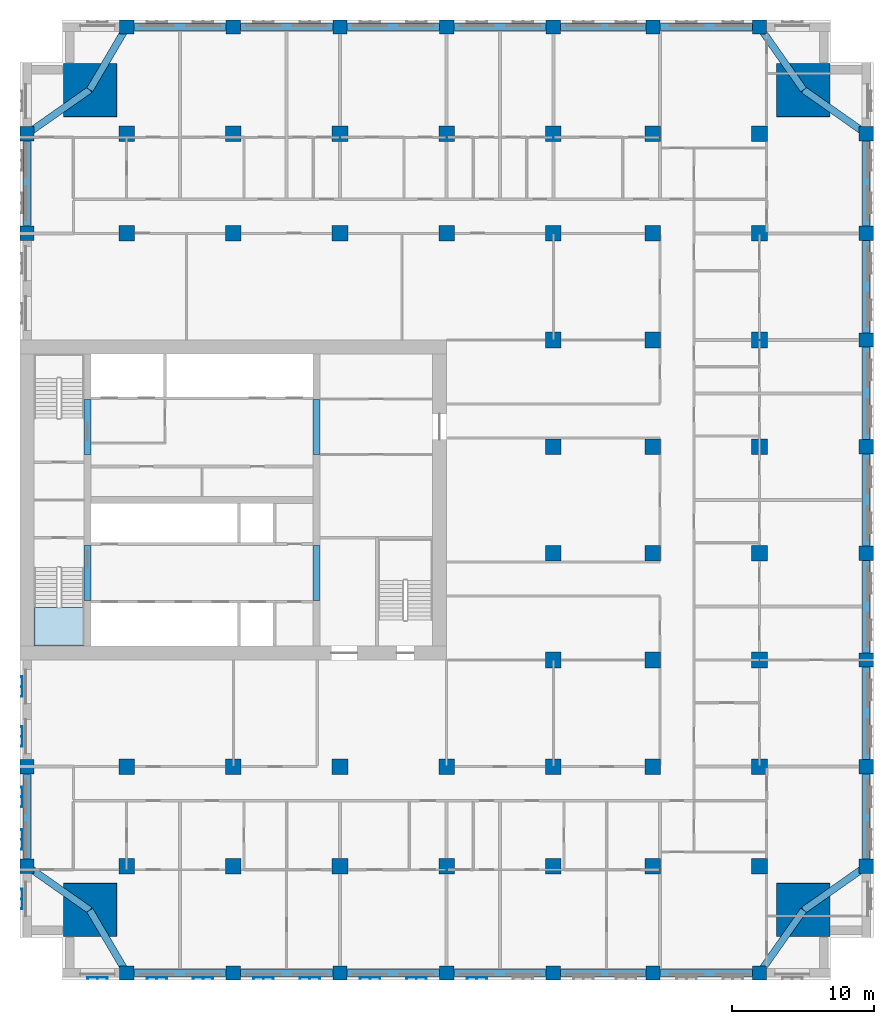
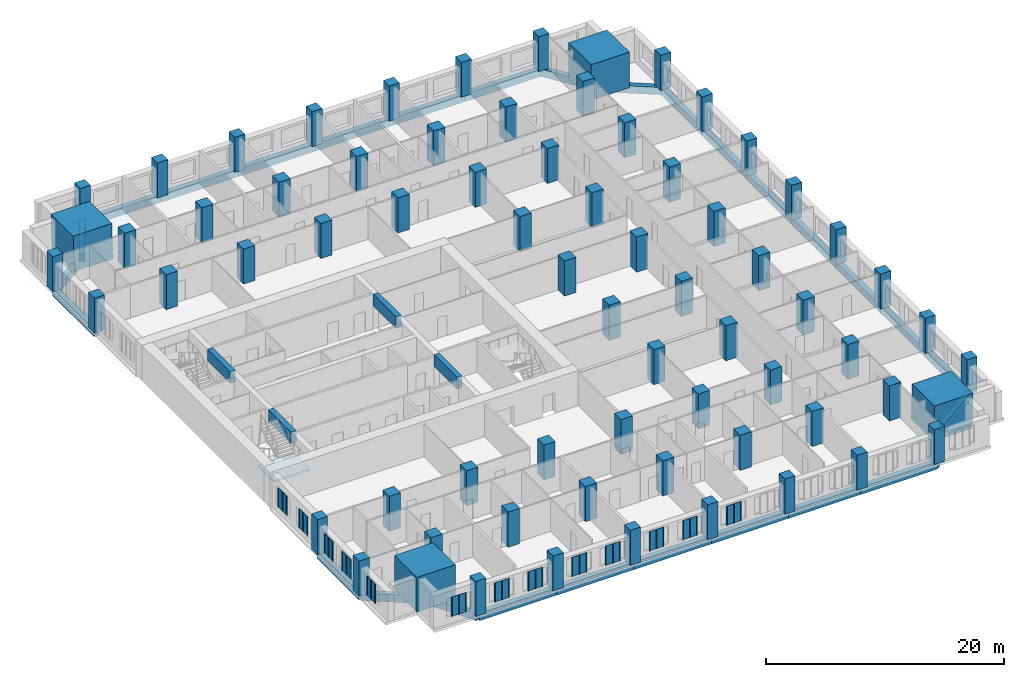
# One storey, part 1 of 14: 70 columns, 33 beams, 13 plates, 1 slab, 1 element without a shape of its own.
"""IFC4 building model written with IfcOpenShell, lengths in metres."""

import ifcopenshell
import ifcopenshell.guid

model = None  # the IFC model being written
_history = None  # IfcOwnerHistory: only IFC2X3 demands one
_inside = {}  # id of a spatial element -> (the spatial element, [elements in it])
_under = {}  # id of a project, library or spatial element -> (it, [spatial elements below it])
_declared = {}  # id of a project -> (the project, [libraries it declares])
_typed = {}  # id of a type object -> (the type object, [elements of that type])
_made_of = {}  # id of a material, layer set ... -> (it, [elements and type objects made of it])


def new_model(schema):
    """Start an empty IFC model of exactly this schema.

    Asked for "IFC4X3", IfcOpenShell would pick the latest addendum, in which some entities
    have other attributes; the version numbers below select the first issue.
    IFC2X3 requires an IfcOwnerHistory on every rooted entity: one is made here for all.
    """
    global model, _history
    if schema == "IFC4X3":
        model = ifcopenshell.file(schema_version=(4, 3, 0, 0))
    else:
        model = ifcopenshell.file(schema=schema)
    _inside.clear()
    _under.clear()
    _declared.clear()
    _typed.clear()
    _made_of.clear()
    _history = None
    if model.schema == "IFC2X3":
        org = make("IfcOrganization", Name="unknown")
        user = make(
            "IfcPersonAndOrganization",
            ThePerson=make("IfcPerson", FamilyName="unknown"),
            TheOrganization=org,
        )
        app = make(
            "IfcApplication",
            ApplicationDeveloper=org,
            Version="unknown",
            ApplicationFullName="unknown",
            ApplicationIdentifier="unknown",
        )
        _history = make(
            "IfcOwnerHistory",
            OwningUser=user,
            OwningApplication=app,
            ChangeAction="ADDED",
            CreationDate=0,
        )
    return model


def make(cls, **values):
    """One entity of the class cls with the attributes given. An attribute that is None is left unset."""
    return model.create_entity(
        cls, **{name: value for name, value in values.items() if value is not None}
    )


def rooted(cls, **values):
    """An entity with a GlobalId (a new one), such as an element, a storey or a relation."""
    return make(cls, GlobalId=ifcopenshell.guid.new(), OwnerHistory=_history, **values)


def si_unit(unit_type, name, prefix=None):
    """IfcSIUnit, for example si_unit("LENGTHUNIT", "METRE", prefix="MILLI")."""
    return make("IfcSIUnit", UnitType=unit_type, Prefix=prefix, Name=name)


def assignment(units):
    """IfcUnitAssignment: the units of a project."""
    return None if units is None else make("IfcUnitAssignment", Units=units)


def point(xyz):
    """IfcCartesianPoint."""
    return None if xyz is None else make("IfcCartesianPoint", Coordinates=xyz)


def direction(xyz):
    """IfcDirection."""
    return None if xyz is None else make("IfcDirection", DirectionRatios=xyz)


def frame(location, z_axis=None, x_axis=None):
    """IfcAxis2Placement3D, a coordinate frame: its origin and axes. An axis left out is left unset."""
    return make(
        "IfcAxis2Placement3D",
        Location=point(location),
        Axis=direction(z_axis),
        RefDirection=direction(x_axis),
    )


def frame_2d(location, x_axis=None):
    """IfcAxis2Placement2D, a coordinate frame in the plane: its origin and x axis."""
    return make(
        "IfcAxis2Placement2D", Location=point(location), RefDirection=direction(x_axis)
    )


def origin():
    """The frame at (0, 0, 0) with its axes left unset."""
    return frame((0.0, 0.0, 0.0))


def origin_2d():
    """The frame at (0, 0) in the plane with its x axis left unset."""
    return frame_2d((0.0, 0.0))


def place(relative_to, where):
    """IfcLocalPlacement: puts the frame where relative to a parent placement (None: the world)."""
    return make(
        "IfcLocalPlacement", PlacementRelTo=relative_to, RelativePlacement=where
    )


def context(
    kind, dimensions, precision=None, world=None, true_north=None, identifier=None
):
    """IfcGeometricRepresentationContext, for example the 3D "Model" context."""
    return make(
        "IfcGeometricRepresentationContext",
        ContextIdentifier=identifier,
        ContextType=kind,
        CoordinateSpaceDimension=dimensions,
        Precision=precision,
        WorldCoordinateSystem=world,
        TrueNorth=true_north,
    )


def subcontext(parent, identifier, kind, view, scale=None):
    """IfcGeometricRepresentationSubContext, for example "Body" below "Model"."""
    return make(
        "IfcGeometricRepresentationSubContext",
        ContextIdentifier=identifier,
        ContextType=kind,
        ParentContext=parent,
        TargetScale=scale,
        TargetView=view,
    )


def project(units=None, contexts=None):
    """IfcProject with its units and contexts."""
    return rooted(
        "IfcProject",
        Name="project",
        RepresentationContexts=contexts,
        UnitsInContext=assignment(units),
    )


def spatial(cls, under=None, at=None, **own):
    """A site, building, storey or space (cls), placed at a placement, below another one or the project."""
    s = rooted(cls, ObjectPlacement=at, **own)
    if under is not None:
        _under.setdefault(under.id(), (under, []))[1].append(s)
    return s


def polyline(points):
    """IfcPolyline through the points."""
    return make("IfcPolyline", Points=[point(p) for p in points])


def profile(cls, at=None, kind="AREA", **sizes):
    """A parametric profile (cls). Its sizes go by their IFC names, for example OverallWidth=200.0."""
    return make(cls, ProfileType=kind, Position=at, **sizes)


def rectangle(**sizes):
    """IfcRectangleProfileDef."""
    return profile("IfcRectangleProfileDef", **sizes)


def outline(outer, holes=None, kind="AREA"):
    """IfcArbitraryClosedProfileDef: a profile drawn as a closed curve; with holes, ...WithVoids."""
    if holes is None:
        return make("IfcArbitraryClosedProfileDef", ProfileType=kind, OuterCurve=outer)
    return make(
        "IfcArbitraryProfileDefWithVoids",
        ProfileType=kind,
        OuterCurve=outer,
        InnerCurves=holes,
    )


def extrude(swept, where, along, depth):
    """IfcExtrudedAreaSolid: the profile swept, set in the frame where, extruded along a direction by depth."""
    return make(
        "IfcExtrudedAreaSolid",
        SweptArea=swept,
        Position=where,
        ExtrudedDirection=direction(along),
        Depth=depth,
    )


def shape(context_of_items, identifier, shape_type, items):
    """IfcShapeRepresentation: the items that make up one representation, for example the "Body"."""
    return make(
        "IfcShapeRepresentation",
        ContextOfItems=context_of_items,
        RepresentationIdentifier=identifier,
        RepresentationType=shape_type,
        Items=items,
    )


def material(Name=None, Category=None):
    """IfcMaterial."""
    return make("IfcMaterial", Name=Name, Category=Category)


def layer(
    of_material, thickness, ventilated=None, Name=None, Category=None, Priority=None
):
    """IfcMaterialLayer: one layer of a wall or slab, of a material (None: an air gap)."""
    return make(
        "IfcMaterialLayer",
        Material=of_material,
        LayerThickness=thickness,
        IsVentilated=ventilated,
        Name=Name,
        Category=Category,
        Priority=Priority,
    )


def layer_set(layers, Name=None):
    """IfcMaterialLayerSet."""
    return make("IfcMaterialLayerSet", MaterialLayers=layers, LayerSetName=Name)


def material_profile(
    of_material, cross_section, Name=None, Category=None, Priority=None
):
    """IfcMaterialProfile: a cross section and its material."""
    return make(
        "IfcMaterialProfile",
        Name=Name,
        Material=of_material,
        Profile=cross_section,
        Priority=Priority,
        Category=Category,
    )


def profile_set(profiles, Name=None, composite=None):
    """IfcMaterialProfileSet."""
    return make(
        "IfcMaterialProfileSet",
        Name=Name,
        MaterialProfiles=profiles,
        CompositeProfile=composite,
    )


def made_of(thing, what):
    """Note that an element or type object is made of a material, layer set ...; save() writes the relation."""
    if what is not None:
        _made_of.setdefault(what.id(), (what, []))[1].append(thing)
    return thing


def type_object(cls, material=None, **own):
    """A type object (cls), such as IfcWallType, which elements share."""
    return made_of(rooted(cls, **own), material)


def element(
    cls,
    number,
    at=None,
    inside=None,
    cuts=None,
    type_object=None,
    material=None,
    context=None,
    identifier="Body",
    shape_type=None,
    held_by="IfcProductDefinitionShape",
    body=None,
    shapes=None,
    **own,
):
    """One element of the class cls, such as IfcWall. Its Tag is "e" and its number.

    at: its placement. inside: the storey or other place that contains it. cuts: it is an
    opening in that element (IfcRelVoidsElement). A single representation is given by context,
    identifier, shape_type and body (its items); several are given by shapes. held_by: the class
    of the entity that holds the representations. save() writes the other relations.
    """
    e = rooted(cls, Tag="e%d" % number, ObjectPlacement=at, **own)
    if body is not None:
        shapes = [shape(context, identifier, shape_type, body)]
    if shapes is not None:
        e.Representation = make(held_by, Representations=shapes)
    if inside is not None:
        _inside.setdefault(inside.id(), (inside, []))[1].append(e)
    if cuts is not None:
        rooted(
            "IfcRelVoidsElement", RelatingBuildingElement=cuts, RelatedOpeningElement=e
        )
    if type_object is not None:
        _typed.setdefault(type_object.id(), (type_object, []))[1].append(e)
    return made_of(e, material)


def aggregate(whole, parts):
    """IfcRelAggregates: a whole, such as a stair, and the parts it consists of."""
    return rooted("IfcRelAggregates", RelatingObject=whole, RelatedObjects=parts)


def save(model, path):
    """Write the relations noted so far, then the file.

    IfcRelAggregates (storeys below a building ...), IfcRelContainedInSpatialStructure (elements
    in a storey), IfcRelDefinesByType, IfcRelAssociatesMaterial and IfcRelDeclares: one each for
    every whole, place, type object, material and project.
    """
    for whole, parts in _under.values():
        aggregate(whole, parts)
    for where, things in _inside.values():
        rooted(
            "IfcRelContainedInSpatialStructure",
            RelatedElements=things,
            RelatingStructure=where,
        )
    for kind, things in _typed.values():
        rooted("IfcRelDefinesByType", RelatedObjects=things, RelatingType=kind)
    for what, things in _made_of.values():
        rooted("IfcRelAssociatesMaterial", RelatedObjects=things, RelatingMaterial=what)
    for by, libraries in _declared.values():
        rooted("IfcRelDeclares", RelatingContext=by, RelatedDefinitions=libraries)
    model.write(path)


model = new_model("IFC4")

# Units and contexts
model_context = context("Model", 3, precision=1e-05, world=origin(), true_north=direction((0.0, 1.0)))
body_context = subcontext(model_context, "Body", "Model", "MODEL_VIEW")
ifc_project = project(units=[si_unit("LENGTHUNIT", "METRE"), si_unit("AREAUNIT", "SQUARE_METRE"), si_unit("VOLUMEUNIT", "CUBIC_METRE"), si_unit("PLANEANGLEUNIT", "RADIAN"), si_unit("MASSUNIT", "GRAM", prefix="KILO")], contexts=[model_context])

# Site, building, storey
site_placement = place(None, origin())
site = spatial("IfcSite", under=ifc_project, at=site_placement, CompositionType="ELEMENT")
building_placement = place(site_placement, origin())
building = spatial("IfcBuilding", under=site, at=building_placement, Name="Tamorin Gate", CompositionType="ELEMENT")
storey_placement = place(building_placement, frame((0.0, 0.0, 79.10009765625)))
storey = spatial("IfcBuildingStorey", under=building, at=storey_placement, Name="L18", CompositionType="ELEMENT", Elevation=79.10009765625)

# Columns
ifc_material_1 = material(Name="Concrete C80/95", Category="concrete")
ifc_material_profile_1 = material_profile(ifc_material_1, rectangle(XDim=1.0, YDim=1.0, at=origin_2d()), Name="RC 1000x1000")
ifc_profile_set_1 = profile_set([ifc_material_profile_1], Name="Concrete C80/95")
column_type_1 = type_object("IfcColumnType", Name="RC column 1000x1000 C80/95", PredefinedType="COLUMN", material=ifc_profile_set_1)
for number, where, z_axis, x_axis, name in (
    (1, (30.5, 45.5, 0.0), (0.0, 0.0, 1.0), (1.0, 0.0, 0.0), "Ring column L18"),
    (2, (30.5, 52.5, 0.0), (0.0, 0.0, 1.0), (1.0, 0.0, 0.0), "Ring column L18"),
    (3, (30.5, 90.0, 0.0), (0.0, 0.0, 1.0), (1.0, 0.0, 0.0), "Ring column L18"),
    (4, (30.5, 97.0, 0.0), (0.0, 0.0, 1.0), (1.0, 0.0, 0.0), "Ring column L18"),
    (5, (37.5, 38.0, 0.0), (0.0, 0.0, 1.0), (1.0, 0.0, 0.0), "Ring column L18"),
    (6, (37.5, 104.5, 0.0), (0.0, 0.0, 1.0), (1.0, 0.0, 0.0), "Ring column L18"),
    (7, (45.0, 38.0, 0.0), (0.0, 0.0, 1.0), (1.0, 0.0, 0.0), "Ring column L18"),
    (8, (45.0, 104.5, 0.0), (0.0, 0.0, 1.0), (1.0, 0.0, 0.0), "Ring column L18"),
    (9, (52.5, 38.0, 0.0), (0.0, 0.0, 1.0), (1.0, 0.0, 0.0), "Ring column L18"),
    (10, (52.5, 104.5, 0.0), (0.0, 0.0, 1.0), (1.0, 0.0, 0.0), "Ring column L18"),
    (11, (60.0, 38.0, 0.0), (0.0, 0.0, 1.0), (1.0, 0.0, 0.0), "Ring column L18"),
    (12, (60.0, 104.5, 0.0), (0.0, 0.0, 1.0), (1.0, 0.0, 0.0), "Ring column L18"),
    (13, (67.5, 38.0, 0.0), (0.0, 0.0, 1.0), (1.0, 0.0, 0.0), "Ring column L18"),
    (14, (67.5, 104.5, 0.0), (0.0, 0.0, 1.0), (1.0, 0.0, 0.0), "Ring column L18"),
    (15, (74.5, 38.0, 0.0), (0.0, 0.0, 1.0), (1.0, 0.0, 0.0), "Ring column L18"),
    (16, (74.5, 104.5, 0.0), (0.0, 0.0, 1.0), (1.0, 0.0, 0.0), "Ring column L18"),
    (17, (82.0, 38.0, 0.0), (0.0, 0.0, 1.0), (1.0, 0.0, 0.0), "Ring column L18"),
    (18, (82.0, 104.5, 0.0), (0.0, 0.0, 1.0), (1.0, 0.0, 0.0), "Ring column L18"),
    (19, (89.5, 45.5, 0.0), (0.0, 0.0, 1.0), (1.0, 0.0, 0.0), "Ring column L18"),
    (20, (89.5, 52.5, 0.0), (0.0, 0.0, 1.0), (1.0, 0.0, 0.0), "Ring column L18"),
    (21, (89.5, 60.0, 0.0), (0.0, 0.0, 1.0), (1.0, 0.0, 0.0), "Ring column L18"),
    (22, (89.5, 67.5, 0.0), (0.0, 0.0, 1.0), (1.0, 0.0, 0.0), "Ring column L18"),
    (23, (89.5, 75.0, 0.0), (0.0, 0.0, 1.0), (1.0, 0.0, 0.0), "Ring column L18"),
    (24, (89.5, 82.5, 0.0), (0.0, 0.0, 1.0), (1.0, 0.0, 0.0), "Ring column L18"),
    (25, (89.5, 90.0, 0.0), (0.0, 0.0, 1.0), (1.0, 0.0, 0.0), "Ring column L18"),
    (26, (89.5, 97.0, 0.0), (0.0, 0.0, 1.0), (1.0, 0.0, 0.0), "Ring column L18"),
):
    element("IfcColumn", number, at=place(storey_placement, frame(where, z_axis=z_axis, x_axis=x_axis)), inside=storey, type_object=column_type_1, Name=name, PredefinedType="COLUMN", context=body_context, shape_type="SweptSolid", body=[
        extrude(rectangle(XDim=1.0, YDim=1.0, at=origin_2d()), origin(), (0.0, 0.0, 1.0), 3.599853515625),
    ])
ifc_material_profile_2 = material_profile(ifc_material_1, rectangle(XDim=1.10009765625, YDim=1.10009765625, at=origin_2d()), Name="RC 1100x1100")
ifc_profile_set_2 = profile_set([ifc_material_profile_2], Name="Concrete C80/95")
column_type_2 = type_object("IfcColumnType", Name="RC column 1100x1100 C80/95", PredefinedType="COLUMN", material=ifc_profile_set_2)
for number, where, z_axis, x_axis, name in (
    (27, (37.5, 45.5, 0.0), (0.0, 0.0, 1.0), (1.0, 0.0, 0.0), "Interior column L18"),
    (28, (37.5, 52.5, 0.0), (0.0, 0.0, 1.0), (1.0, 0.0, 0.0), "Interior column L18"),
    (29, (37.5, 90.0, 0.0), (0.0, 0.0, 1.0), (1.0, 0.0, 0.0), "Interior column L18"),
    (30, (37.5, 97.0, 0.0), (0.0, 0.0, 1.0), (1.0, 0.0, 0.0), "Interior column L18"),
    (31, (45.0, 45.5, 0.0), (0.0, 0.0, 1.0), (1.0, 0.0, 0.0), "Interior column L18"),
    (32, (45.0, 52.5, 0.0), (0.0, 0.0, 1.0), (1.0, 0.0, 0.0), "Interior column L18"),
    (33, (45.0, 90.0, 0.0), (0.0, 0.0, 1.0), (1.0, 0.0, 0.0), "Interior column L18"),
    (34, (45.0, 97.0, 0.0), (0.0, 0.0, 1.0), (1.0, 0.0, 0.0), "Interior column L18"),
    (35, (52.5, 45.5, 0.0), (0.0, 0.0, 1.0), (1.0, 0.0, 0.0), "Interior column L18"),
    (36, (52.5, 52.5, 0.0), (0.0, 0.0, 1.0), (1.0, 0.0, 0.0), "Interior column L18"),
    (37, (52.5, 90.0, 0.0), (0.0, 0.0, 1.0), (1.0, 0.0, 0.0), "Interior column L18"),
    (38, (52.5, 97.0, 0.0), (0.0, 0.0, 1.0), (1.0, 0.0, 0.0), "Interior column L18"),
    (39, (60.0, 45.5, 0.0), (0.0, 0.0, 1.0), (1.0, 0.0, 0.0), "Interior column L18"),
    (40, (60.0, 52.5, 0.0), (0.0, 0.0, 1.0), (1.0, 0.0, 0.0), "Interior column L18"),
    (41, (60.0, 90.0, 0.0), (0.0, 0.0, 1.0), (1.0, 0.0, 0.0), "Interior column L18"),
    (42, (60.0, 97.0, 0.0), (0.0, 0.0, 1.0), (1.0, 0.0, 0.0), "Interior column L18"),
    (43, (67.5, 45.5, 0.0), (0.0, 0.0, 1.0), (1.0, 0.0, 0.0), "Interior column L18"),
    (44, (67.5, 52.5, 0.0), (0.0, 0.0, 1.0), (1.0, 0.0, 0.0), "Interior column L18"),
    (45, (67.5, 60.0, 0.0), (0.0, 0.0, 1.0), (1.0, 0.0, 0.0), "Interior column L18"),
    (46, (67.5, 67.5, 0.0), (0.0, 0.0, 1.0), (1.0, 0.0, 0.0), "Interior column L18"),
    (47, (67.5, 75.0, 0.0), (0.0, 0.0, 1.0), (1.0, 0.0, 0.0), "Interior column L18"),
    (48, (67.5, 82.5, 0.0), (0.0, 0.0, 1.0), (1.0, 0.0, 0.0), "Interior column L18"),
    (49, (67.5, 90.0, 0.0), (0.0, 0.0, 1.0), (1.0, 0.0, 0.0), "Interior column L18"),
    (50, (67.5, 97.0, 0.0), (0.0, 0.0, 1.0), (1.0, 0.0, 0.0), "Interior column L18"),
    (51, (74.5, 45.5, 0.0), (0.0, 0.0, 1.0), (1.0, 0.0, 0.0), "Interior column L18"),
    (52, (74.5, 52.5, 0.0), (0.0, 0.0, 1.0), (1.0, 0.0, 0.0), "Interior column L18"),
    (53, (74.5, 60.0, 0.0), (0.0, 0.0, 1.0), (1.0, 0.0, 0.0), "Interior column L18"),
    (54, (74.5, 67.5, 0.0), (0.0, 0.0, 1.0), (1.0, 0.0, 0.0), "Interior column L18"),
    (55, (74.5, 75.0, 0.0), (0.0, 0.0, 1.0), (1.0, 0.0, 0.0), "Interior column L18"),
    (56, (74.5, 82.5, 0.0), (0.0, 0.0, 1.0), (1.0, 0.0, 0.0), "Interior column L18"),
    (57, (74.5, 90.0, 0.0), (0.0, 0.0, 1.0), (1.0, 0.0, 0.0), "Interior column L18"),
    (58, (74.5, 97.0, 0.0), (0.0, 0.0, 1.0), (1.0, 0.0, 0.0), "Interior column L18"),
    (59, (82.0, 45.5, 0.0), (0.0, 0.0, 1.0), (1.0, 0.0, 0.0), "Interior column L18"),
    (60, (82.0, 52.5, 0.0), (0.0, 0.0, 1.0), (1.0, 0.0, 0.0), "Interior column L18"),
    (61, (82.0, 60.0, 0.0), (0.0, 0.0, 1.0), (1.0, 0.0, 0.0), "Interior column L18"),
    (62, (82.0, 67.5, 0.0), (0.0, 0.0, 1.0), (1.0, 0.0, 0.0), "Interior column L18"),
    (63, (82.0, 75.0, 0.0), (0.0, 0.0, 1.0), (1.0, 0.0, 0.0), "Interior column L18"),
    (64, (82.0, 82.5, 0.0), (0.0, 0.0, 1.0), (1.0, 0.0, 0.0), "Interior column L18"),
    (65, (82.0, 90.0, 0.0), (0.0, 0.0, 1.0), (1.0, 0.0, 0.0), "Interior column L18"),
    (66, (82.0, 97.0, 0.0), (0.0, 0.0, 1.0), (1.0, 0.0, 0.0), "Interior column L18"),
):
    element("IfcColumn", number, at=place(storey_placement, frame(where, z_axis=z_axis, x_axis=x_axis)), inside=storey, type_object=column_type_2, Name=name, PredefinedType="COLUMN", context=body_context, shape_type="SweptSolid", body=[
        extrude(rectangle(XDim=1.10009765625, YDim=1.10009765625, at=origin_2d()), origin(), (0.0, 0.0, 1.0), 3.599853515625),
    ])
ifc_material_profile_3 = material_profile(ifc_material_1, rectangle(XDim=3.75, YDim=3.75, at=origin_2d()), Name="RC 3750x3750")
ifc_profile_set_3 = profile_set([ifc_material_profile_3], Name="Concrete C80/95")
column_type_3 = type_object("IfcColumnType", Name="RC column 3750x3750 C80/95", PredefinedType="COLUMN", material=ifc_profile_set_3)
for number, where, z_axis, x_axis, name in (
    (67, (34.9375, 42.4375, 0.0), (0.0, 0.0, 1.0), (-1.0, 0.0, 0.0), "Mega column SW L18"),
    (68, (85.0625, 42.4375, 0.0), (0.0, 0.0, 1.0), (0.0, -1.0, 0.0), "Mega column SE L18"),
    (69, (34.9375, 100.0625, 0.0), (0.0, 0.0, 1.0), (0.0, 1.0, 0.0), "Mega column NW L18"),
    (70, (85.0625, 100.0625, 0.0), (0.0, 0.0, 1.0), (1.0, 0.0, 0.0), "Mega column NE L18"),
):
    element("IfcColumn", number, at=place(storey_placement, frame(where, z_axis=z_axis, x_axis=x_axis)), inside=storey, type_object=column_type_3, Name=name, PredefinedType="COLUMN", context=body_context, shape_type="SweptSolid", body=[
        extrude(rectangle(XDim=3.75, YDim=3.75, at=origin_2d()), origin(), (0.017356586511, 0.017356586511, 0.999698703515), 3.600830078125),
    ])

# Beams
ifc_material_profile_4 = material_profile(ifc_material_1, rectangle(XDim=0.5, YDim=1.199951171875, at=origin_2d()), Name="RC 500x1200")
ifc_profile_set_4 = profile_set([ifc_material_profile_4], Name="Concrete C80/95")
beam_type_1 = type_object("IfcBeamType", Name="RC coupling beam 500x1200 C80/95", PredefinedType="BEAM", material=ifc_profile_set_4)
for number, where, z_axis, x_axis, name in (
    (71, (34.75, 64.199951171875, 3.0), (0.0, 1.0, 0.0), (-1.0, 0.0, 0.0), "Coupling beam L18"),
    (72, (34.75, 74.449951171875, 3.0), (0.0, 1.0, 0.0), (-1.0, 0.0, 0.0), "Coupling beam L18"),
    (73, (50.85009765625, 64.199951171875, 3.0), (0.0, 1.0, 0.0), (-1.0, 0.0, 0.0), "Coupling beam L18"),
    (74, (50.85009765625, 74.449951171875, 3.0), (0.0, 1.0, 0.0), (-1.0, 0.0, 0.0), "Coupling beam L18"),
):
    element("IfcBeam", number, at=place(storey_placement, frame(where, z_axis=z_axis, x_axis=x_axis)), inside=storey, type_object=beam_type_1, Name=name, PredefinedType="BEAM", context=body_context, shape_type="SweptSolid", body=[
        extrude(rectangle(XDim=0.5, YDim=1.199951171875, at=origin_2d()), origin(), (0.0, 0.0, 1.0), 3.85009765625),
    ])
ifc_material_2 = material(Name="Concrete C50/60", Category="concrete")
ifc_material_profile_5 = material_profile(ifc_material_2, rectangle(XDim=0.5, YDim=0.75, at=origin_2d()), Name="RC 500x750")
ifc_profile_set_5 = profile_set([ifc_material_profile_5], Name="Concrete C50/60")
beam_type_2 = type_object("IfcBeamType", Name="RC spandrel 500x750 C50/60", PredefinedType="BEAM", material=ifc_profile_set_5)
for number, where, z_axis, x_axis, name in (
    (75, (37.5, 38.0, -0.375), (1.0, 0.0, 0.0), (0.0, 1.0, 0.0), "Spandrel beam L18"),
    (76, (45.0, 38.0, -0.375), (1.0, 0.0, 0.0), (0.0, 1.0, 0.0), "Spandrel beam L18"),
    (77, (52.5, 38.0, -0.375), (1.0, 0.0, 0.0), (0.0, 1.0, 0.0), "Spandrel beam L18"),
    (78, (60.0, 38.0, -0.375), (1.0, 0.0, 0.0), (0.0, 1.0, 0.0), "Spandrel beam L18"),
):
    element("IfcBeam", number, at=place(storey_placement, frame(where, z_axis=z_axis, x_axis=x_axis)), inside=storey, type_object=beam_type_2, Name=name, PredefinedType="BEAM", context=body_context, shape_type="SweptSolid", body=[
        extrude(rectangle(XDim=0.5, YDim=0.75, at=origin_2d()), origin(), (0.0, 0.0, 1.0), 7.5),
    ])
beam_1_placement = place(storey_placement, frame((67.5, 38.0, -0.375), z_axis=(1.0, 0.0, 0.0), x_axis=(0.0, 1.0, 0.0)))
element("IfcBeam", 79, at=beam_1_placement, inside=storey, type_object=beam_type_2, Name="Spandrel beam L18", PredefinedType="BEAM", context=body_context, shape_type="SweptSolid", body=[
    extrude(rectangle(XDim=0.5, YDim=0.75, at=origin_2d()), origin(), (0.0, 0.0, 1.0), 7.0),
])
beam_2_placement = place(storey_placement, frame((74.5, 38.0, -0.375), z_axis=(1.0, 0.0, 0.0), x_axis=(0.0, 1.0, 0.0)))
element("IfcBeam", 80, at=beam_2_placement, inside=storey, type_object=beam_type_2, Name="Spandrel beam L18", PredefinedType="BEAM", context=body_context, shape_type="SweptSolid", body=[
    extrude(rectangle(XDim=0.5, YDim=0.75, at=origin_2d()), origin(), (0.0, 0.0, 1.0), 7.5),
])
beam_3_placement = place(storey_placement, frame((89.5, 45.5, -0.375), z_axis=(0.0, 1.0, 0.0), x_axis=(-1.0, 0.0, 0.0)))
element("IfcBeam", 81, at=beam_3_placement, inside=storey, type_object=beam_type_2, Name="Spandrel beam L18", PredefinedType="BEAM", context=body_context, shape_type="SweptSolid", body=[
    extrude(rectangle(XDim=0.5, YDim=0.75, at=origin_2d()), origin(), (0.0, 0.0, 1.0), 7.0),
])
for number, where, z_axis, x_axis, name in (
    (82, (89.5, 52.5, -0.375), (0.0, 1.0, 0.0), (-1.0, 0.0, 0.0), "Spandrel beam L18"),
    (83, (89.5, 60.0, -0.375), (0.0, 1.0, 0.0), (-1.0, 0.0, 0.0), "Spandrel beam L18"),
    (84, (89.5, 67.5, -0.375), (0.0, 1.0, 0.0), (-1.0, 0.0, 0.0), "Spandrel beam L18"),
    (85, (89.5, 75.0, -0.375), (0.0, 1.0, 0.0), (-1.0, 0.0, 0.0), "Spandrel beam L18"),
    (86, (89.5, 82.5, -0.375), (0.0, 1.0, 0.0), (-1.0, 0.0, 0.0), "Spandrel beam L18"),
):
    element("IfcBeam", number, at=place(storey_placement, frame(where, z_axis=z_axis, x_axis=x_axis)), inside=storey, type_object=beam_type_2, Name=name, PredefinedType="BEAM", context=body_context, shape_type="SweptSolid", body=[
        extrude(rectangle(XDim=0.5, YDim=0.75, at=origin_2d()), origin(), (0.0, 0.0, 1.0), 7.5),
    ])
beam_4_placement = place(storey_placement, frame((89.5, 90.0, -0.375), z_axis=(0.0, 1.0, 0.0), x_axis=(-1.0, 0.0, 0.0)))
element("IfcBeam", 87, at=beam_4_placement, inside=storey, type_object=beam_type_2, Name="Spandrel beam L18", PredefinedType="BEAM", context=body_context, shape_type="SweptSolid", body=[
    extrude(rectangle(XDim=0.5, YDim=0.75, at=origin_2d()), origin(), (0.0, 0.0, 1.0), 7.0),
])
beam_5_placement = place(storey_placement, frame((82.0, 104.5, -0.375), z_axis=(-1.0, 0.0, 0.0), x_axis=(0.0, -1.0, 0.0)))
element("IfcBeam", 88, at=beam_5_placement, inside=storey, type_object=beam_type_2, Name="Spandrel beam L18", PredefinedType="BEAM", context=body_context, shape_type="SweptSolid", body=[
    extrude(rectangle(XDim=0.5, YDim=0.75, at=origin_2d()), origin(), (0.0, 0.0, 1.0), 7.5),
])
beam_6_placement = place(storey_placement, frame((74.5, 104.5, -0.375), z_axis=(-1.0, 0.0, 0.0), x_axis=(0.0, -1.0, 0.0)))
element("IfcBeam", 89, at=beam_6_placement, inside=storey, type_object=beam_type_2, Name="Spandrel beam L18", PredefinedType="BEAM", context=body_context, shape_type="SweptSolid", body=[
    extrude(rectangle(XDim=0.5, YDim=0.75, at=origin_2d()), origin(), (0.0, 0.0, 1.0), 7.0),
])
for number, where, z_axis, x_axis, name in (
    (90, (67.5, 104.5, -0.375), (-1.0, 0.0, 0.0), (0.0, -1.0, 0.0), "Spandrel beam L18"),
    (91, (60.0, 104.5, -0.375), (-1.0, 0.0, 0.0), (0.0, -1.0, 0.0), "Spandrel beam L18"),
    (92, (52.5, 104.5, -0.375), (-1.0, 0.0, 0.0), (0.0, -1.0, 0.0), "Spandrel beam L18"),
    (93, (45.0, 104.5, -0.375), (-1.0, 0.0, 0.0), (0.0, -1.0, 0.0), "Spandrel beam L18"),
):
    element("IfcBeam", number, at=place(storey_placement, frame(where, z_axis=z_axis, x_axis=x_axis)), inside=storey, type_object=beam_type_2, Name=name, PredefinedType="BEAM", context=body_context, shape_type="SweptSolid", body=[
        extrude(rectangle(XDim=0.5, YDim=0.75, at=origin_2d()), origin(), (0.0, 0.0, 1.0), 7.5),
    ])
for number, where, z_axis, x_axis, name in (
    (94, (30.5, 97.0, -0.375), (0.0, -1.0, 0.0), (1.0, 0.0, 0.0), "Spandrel beam L18"),
    (95, (30.5, 52.5, -0.375), (0.0, -1.0, 0.0), (1.0, 0.0, 0.0), "Spandrel beam L18"),
):
    element("IfcBeam", number, at=place(storey_placement, frame(where, z_axis=z_axis, x_axis=x_axis)), inside=storey, type_object=beam_type_2, Name=name, PredefinedType="BEAM", context=body_context, shape_type="SweptSolid", body=[
        extrude(rectangle(XDim=0.5, YDim=0.75, at=origin_2d()), origin(), (0.0, 0.0, 1.0), 7.0),
    ])
beam_7_placement = place(storey_placement, frame((34.90625, 42.40625, -0.375), z_axis=(0.507287202986, -0.861777055674, 0.0), x_axis=(0.861777055674, 0.507287202986, 0.0)))
element("IfcBeam", 96, at=beam_7_placement, inside=storey, type_object=beam_type_2, Name="Corner tie beam L18", PredefinedType="BEAM", context=body_context, shape_type="SweptSolid", body=[
    extrude(rectangle(XDim=0.5, YDim=0.75, at=origin_2d()), origin(), (0.0, 0.0, 1.0), 5.113037109375),
])
for number, where, z_axis, x_axis, name in (
    (97, (34.90625, 42.40625, -0.375), (-0.818413024526, 0.574630421476, 0.0), (-0.574630421476, -0.818413024526, 0.0), "Corner tie beam L18"),
    (98, (85.09375, 42.40625, -0.375), (-0.574630421476, -0.818413024526, 0.0), (0.818413024526, -0.574630421476, 0.0), "Corner tie beam L18"),
    (99, (85.09375, 42.40625, -0.375), (0.818413024526, 0.574630421476, 0.0), (-0.574630421476, 0.818413024526, 0.0), "Corner tie beam L18"),
):
    element("IfcBeam", number, at=place(storey_placement, frame(where, z_axis=z_axis, x_axis=x_axis)), inside=storey, type_object=beam_type_2, Name=name, PredefinedType="BEAM", context=body_context, shape_type="SweptSolid", body=[
        extrude(rectangle(XDim=0.5, YDim=0.75, at=origin_2d()), origin(), (0.0, 0.0, 1.0), 5.3837890625),
    ])
beam_8_placement = place(storey_placement, frame((34.90625, 100.09375, -0.375), z_axis=(0.507287202986, 0.861777055674, 0.0), x_axis=(-0.861777055674, 0.507287202986, 0.0)))
element("IfcBeam", 100, at=beam_8_placement, inside=storey, type_object=beam_type_2, Name="Corner tie beam L18", PredefinedType="BEAM", context=body_context, shape_type="SweptSolid", body=[
    extrude(rectangle(XDim=0.5, YDim=0.75, at=origin_2d()), origin(), (0.0, 0.0, 1.0), 5.113037109375),
])
for number, where, z_axis, x_axis, name in (
    (101, (34.90625, 100.09375, -0.375), (-0.818413024526, -0.574630421476, 0.0), (0.574630421476, -0.818413024526, 0.0), "Corner tie beam L18"),
    (102, (85.09375, 100.09375, -0.375), (-0.574630421476, 0.818413024526, 0.0), (-0.818413024526, -0.574630421476, 0.0), "Corner tie beam L18"),
    (103, (85.09375, 100.09375, -0.375), (0.818413024526, -0.574630421476, 0.0), (0.574630421476, 0.818413024526, 0.0), "Corner tie beam L18"),
):
    element("IfcBeam", number, at=place(storey_placement, frame(where, z_axis=z_axis, x_axis=x_axis)), inside=storey, type_object=beam_type_2, Name=name, PredefinedType="BEAM", context=body_context, shape_type="SweptSolid", body=[
        extrude(rectangle(XDim=0.5, YDim=0.75, at=origin_2d()), origin(), (0.0, 0.0, 1.0), 5.3837890625),
    ])

# Stair, slab
ifc_material_3 = material(Name="Concrete C40/50", Category="concrete")
stair_type = type_object("IfcStairType", Name="Exit stair", PredefinedType="HALF_TURN_STAIR", material=ifc_material_3)
stair_placement = place(storey_placement, origin())
stair = element("IfcStair", 104, at=stair_placement, inside=storey, type_object=stair_type, Name="L18 stair ST1", PredefinedType="HALF_TURN_STAIR")
ifc_layer_1 = layer(ifc_material_3, 0.199951171875)
ifc_layer_set_1 = layer_set([ifc_layer_1], Name="Exit stair landing 200")
slab_type = type_object("IfcSlabType", Name="Exit stair landing 200", PredefinedType="LANDING", material=ifc_layer_set_1)
slab_placement = place(storey_placement, frame((0.0, 0.0, 1.599853515625)))
slab = element("IfcSlab", 105, at=slab_placement, type_object=slab_type, Name="ST1 landing 1", PredefinedType="LANDING", context=body_context, shape_type="SweptSolid", body=[
    extrude(outline(polyline([(31.0, 63.699951171875), (31.0, 61.0), (34.5, 61.0), (34.5, 63.699951171875), (31.0, 63.699951171875)])), origin(), (0.0, 0.0, 1.0), 0.199951171875),
])
aggregate(stair, [slab])

# Plates
ifc_material_4 = material(Name="Perforated pale aluminium sheet", Category="aluminium")
ifc_layer_2 = layer(ifc_material_4, 0.0400390625)
ifc_layer_set_2 = layer_set([ifc_layer_2], Name="Pale metal solar screen 1440")
plate_type = type_object("IfcPlateType", Name="Pale metal solar screen 1440", PredefinedType="SHEET", material=ifc_layer_set_2)
plate_1_placement = place(storey_placement, frame((0.0, 0.0, 0.7099609375)))
element("IfcPlate", 106, at=plate_1_placement, inside=storey, type_object=plate_type, Name="Perforated solar screen", PredefinedType="SHEET", context=body_context, shape_type="SweptSolid", body=[
    extrude(outline(polyline([(34.72998046875, 37.659912109375), (34.72998046875, 37.699951171875), (34.7900390625, 37.699951171875), (35.419921875, 37.699951171875), (35.47998046875, 37.699951171875), (36.110107421875, 37.699951171875), (36.169921875, 37.699951171875), (36.169921875, 37.659912109375), (36.169921875, 37.60009765625), (36.110107421875, 37.60009765625), (36.110107421875, 37.659912109375), (35.47998046875, 37.659912109375), (35.47998046875, 37.60009765625), (35.419921875, 37.60009765625), (35.419921875, 37.659912109375), (34.7900390625, 37.659912109375), (34.7900390625, 37.60009765625), (34.72998046875, 37.60009765625), (34.72998046875, 37.659912109375)])), origin(), (0.0, 0.0, 1.0), 1.97998046875),
])
plate_2_placement = place(storey_placement, frame((0.0, 0.0, 0.7099609375)))
element("IfcPlate", 107, at=plate_2_placement, inside=storey, type_object=plate_type, Name="Perforated solar screen", PredefinedType="SHEET", context=body_context, shape_type="SweptSolid", body=[
    extrude(outline(polyline([(38.905029296875, 37.659912109375), (38.905029296875, 37.699951171875), (38.965087890625, 37.699951171875), (39.594970703125, 37.699951171875), (39.655029296875, 37.699951171875), (40.284912109375, 37.699951171875), (40.344970703125, 37.699951171875), (40.344970703125, 37.699951171875), (40.344970703125, 37.659912109375), (40.344970703125, 37.659912109375), (40.344970703125, 37.60009765625), (40.284912109375, 37.60009765625), (40.284912109375, 37.659912109375), (39.655029296875, 37.659912109375), (39.655029296875, 37.60009765625), (39.594970703125, 37.60009765625), (39.594970703125, 37.659912109375), (38.965087890625, 37.659912109375), (38.965087890625, 37.60009765625), (38.905029296875, 37.60009765625), (38.905029296875, 37.659912109375)])), origin(), (0.0, 0.0, 1.0), 1.97998046875),
])
plate_3_placement = place(storey_placement, frame((0.0, 0.0, 0.7099609375)))
element("IfcPlate", 108, at=plate_3_placement, inside=storey, type_object=plate_type, Name="Perforated solar screen", PredefinedType="SHEET", context=body_context, shape_type="SweptSolid", body=[
    extrude(outline(polyline([(42.155029296875, 37.659912109375), (42.155029296875, 37.699951171875), (42.215087890625, 37.699951171875), (42.844970703125, 37.699951171875), (42.905029296875, 37.699951171875), (43.534912109375, 37.699951171875), (43.594970703125, 37.699951171875), (43.594970703125, 37.659912109375), (43.594970703125, 37.60009765625), (43.534912109375, 37.60009765625), (43.534912109375, 37.659912109375), (42.905029296875, 37.659912109375), (42.905029296875, 37.60009765625), (42.844970703125, 37.60009765625), (42.844970703125, 37.659912109375), (42.215087890625, 37.659912109375), (42.215087890625, 37.60009765625), (42.155029296875, 37.60009765625), (42.155029296875, 37.659912109375)])), origin(), (0.0, 0.0, 1.0), 1.97998046875),
])
plate_4_placement = place(storey_placement, frame((0.0, 0.0, 0.7099609375)))
element("IfcPlate", 109, at=plate_4_placement, inside=storey, type_object=plate_type, Name="Perforated solar screen", PredefinedType="SHEET", context=body_context, shape_type="SweptSolid", body=[
    extrude(outline(polyline([(46.405029296875, 37.659912109375), (46.405029296875, 37.699951171875), (46.465087890625, 37.699951171875), (47.094970703125, 37.699951171875), (47.155029296875, 37.699951171875), (47.784912109375, 37.699951171875), (47.844970703125, 37.699951171875), (47.844970703125, 37.659912109375), (47.844970703125, 37.60009765625), (47.784912109375, 37.60009765625), (47.784912109375, 37.659912109375), (47.155029296875, 37.659912109375), (47.155029296875, 37.60009765625), (47.094970703125, 37.60009765625), (47.094970703125, 37.659912109375), (46.465087890625, 37.659912109375), (46.465087890625, 37.60009765625), (46.405029296875, 37.60009765625), (46.405029296875, 37.659912109375)])), origin(), (0.0, 0.0, 1.0), 1.97998046875),
])
plate_5_placement = place(storey_placement, frame((0.0, 0.0, 0.7099609375)))
element("IfcPlate", 110, at=plate_5_placement, inside=storey, type_object=plate_type, Name="Perforated solar screen", PredefinedType="SHEET", context=body_context, shape_type="SweptSolid", body=[
    extrude(outline(polyline([(49.655029296875, 37.659912109375), (49.655029296875, 37.699951171875), (49.715087890625, 37.699951171875), (50.344970703125, 37.699951171875), (50.405029296875, 37.699951171875), (51.034912109375, 37.699951171875), (51.094970703125, 37.699951171875), (51.094970703125, 37.659912109375), (51.094970703125, 37.60009765625), (51.034912109375, 37.60009765625), (51.034912109375, 37.659912109375), (50.405029296875, 37.659912109375), (50.405029296875, 37.60009765625), (50.344970703125, 37.60009765625), (50.344970703125, 37.659912109375), (49.715087890625, 37.659912109375), (49.715087890625, 37.60009765625), (49.655029296875, 37.60009765625), (49.655029296875, 37.659912109375)])), origin(), (0.0, 0.0, 1.0), 1.97998046875),
])
plate_6_placement = place(storey_placement, frame((0.0, 0.0, 0.7099609375)))
element("IfcPlate", 111, at=plate_6_placement, inside=storey, type_object=plate_type, Name="Perforated solar screen", PredefinedType="SHEET", context=body_context, shape_type="SweptSolid", body=[
    extrude(outline(polyline([(53.905029296875, 37.659912109375), (53.905029296875, 37.699951171875), (53.965087890625, 37.699951171875), (54.594970703125, 37.699951171875), (54.655029296875, 37.699951171875), (55.284912109375, 37.699951171875), (55.344970703125, 37.699951171875), (55.344970703125, 37.659912109375), (55.344970703125, 37.60009765625), (55.284912109375, 37.60009765625), (55.284912109375, 37.659912109375), (54.655029296875, 37.659912109375), (54.655029296875, 37.60009765625), (54.594970703125, 37.60009765625), (54.594970703125, 37.659912109375), (53.965087890625, 37.659912109375), (53.965087890625, 37.60009765625), (53.905029296875, 37.60009765625), (53.905029296875, 37.659912109375)])), origin(), (0.0, 0.0, 1.0), 1.97998046875),
])
plate_7_placement = place(storey_placement, frame((0.0, 0.0, 0.7099609375)))
element("IfcPlate", 112, at=plate_7_placement, inside=storey, type_object=plate_type, Name="Perforated solar screen", PredefinedType="SHEET", context=body_context, shape_type="SweptSolid", body=[
    extrude(outline(polyline([(57.155029296875, 37.659912109375), (57.155029296875, 37.699951171875), (57.215087890625, 37.699951171875), (57.844970703125, 37.699951171875), (57.905029296875, 37.699951171875), (58.534912109375, 37.699951171875), (58.594970703125, 37.699951171875), (58.594970703125, 37.659912109375), (58.594970703125, 37.60009765625), (58.534912109375, 37.60009765625), (58.534912109375, 37.659912109375), (57.905029296875, 37.659912109375), (57.905029296875, 37.60009765625), (57.844970703125, 37.60009765625), (57.844970703125, 37.659912109375), (57.215087890625, 37.659912109375), (57.215087890625, 37.60009765625), (57.155029296875, 37.60009765625), (57.155029296875, 37.659912109375)])), origin(), (0.0, 0.0, 1.0), 1.97998046875),
])
plate_8_placement = place(storey_placement, frame((0.0, 0.0, 0.7099609375)))
element("IfcPlate", 113, at=plate_8_placement, inside=storey, type_object=plate_type, Name="Perforated solar screen", PredefinedType="SHEET", context=body_context, shape_type="SweptSolid", body=[
    extrude(outline(polyline([(61.405029296875, 37.659912109375), (61.405029296875, 37.699951171875), (61.465087890625, 37.699951171875), (62.094970703125, 37.699951171875), (62.155029296875, 37.699951171875), (62.784912109375, 37.699951171875), (62.844970703125, 37.699951171875), (62.844970703125, 37.659912109375), (62.844970703125, 37.60009765625), (62.784912109375, 37.60009765625), (62.784912109375, 37.659912109375), (62.155029296875, 37.659912109375), (62.155029296875, 37.60009765625), (62.094970703125, 37.60009765625), (62.094970703125, 37.659912109375), (61.465087890625, 37.659912109375), (61.465087890625, 37.60009765625), (61.405029296875, 37.60009765625), (61.405029296875, 37.659912109375)])), origin(), (0.0, 0.0, 1.0), 1.97998046875),
])
plate_9_placement = place(storey_placement, frame((0.0, 0.0, 0.7099609375)))
element("IfcPlate", 114, at=plate_9_placement, inside=storey, type_object=plate_type, Name="Perforated solar screen", PredefinedType="SHEET", context=body_context, shape_type="SweptSolid", body=[
    extrude(outline(polyline([(30.159912109375, 55.344970703125), (30.199951171875, 55.344970703125), (30.199951171875, 55.284912109375), (30.199951171875, 54.655029296875), (30.199951171875, 54.594970703125), (30.199951171875, 53.965087890625), (30.199951171875, 53.905029296875), (30.159912109375, 53.905029296875), (30.10009765625, 53.905029296875), (30.10009765625, 53.965087890625), (30.159912109375, 53.965087890625), (30.159912109375, 54.594970703125), (30.10009765625, 54.594970703125), (30.10009765625, 54.655029296875), (30.159912109375, 54.655029296875), (30.159912109375, 55.284912109375), (30.10009765625, 55.284912109375), (30.10009765625, 55.344970703125), (30.159912109375, 55.344970703125)])), origin(), (0.0, 0.0, 1.0), 1.97998046875),
])
plate_10_placement = place(storey_placement, frame((0.0, 0.0, 0.7099609375)))
element("IfcPlate", 115, at=plate_10_placement, inside=storey, type_object=plate_type, Name="Perforated solar screen", PredefinedType="SHEET", context=body_context, shape_type="SweptSolid", body=[
    extrude(outline(polyline([(30.159912109375, 58.844970703125), (30.199951171875, 58.844970703125), (30.199951171875, 58.784912109375), (30.199951171875, 58.155029296875), (30.199951171875, 58.094970703125), (30.199951171875, 57.465087890625), (30.199951171875, 57.405029296875), (30.159912109375, 57.405029296875), (30.10009765625, 57.405029296875), (30.10009765625, 57.465087890625), (30.159912109375, 57.465087890625), (30.159912109375, 58.094970703125), (30.10009765625, 58.094970703125), (30.10009765625, 58.155029296875), (30.159912109375, 58.155029296875), (30.159912109375, 58.784912109375), (30.10009765625, 58.784912109375), (30.10009765625, 58.844970703125), (30.159912109375, 58.844970703125)])), origin(), (0.0, 0.0, 1.0), 1.97998046875),
])
plate_11_placement = place(storey_placement, frame((0.0, 0.0, 0.7099609375)))
element("IfcPlate", 116, at=plate_11_placement, inside=storey, type_object=plate_type, Name="Perforated solar screen", PredefinedType="SHEET", context=body_context, shape_type="SweptSolid", body=[
    extrude(outline(polyline([(30.159912109375, 48.094970703125), (30.199951171875, 48.094970703125), (30.199951171875, 48.034912109375), (30.199951171875, 47.405029296875), (30.199951171875, 47.344970703125), (30.199951171875, 46.715087890625), (30.199951171875, 46.655029296875), (30.159912109375, 46.655029296875), (30.10009765625, 46.655029296875), (30.10009765625, 46.715087890625), (30.159912109375, 46.715087890625), (30.159912109375, 47.344970703125), (30.10009765625, 47.344970703125), (30.10009765625, 47.405029296875), (30.159912109375, 47.405029296875), (30.159912109375, 48.034912109375), (30.10009765625, 48.034912109375), (30.10009765625, 48.094970703125), (30.159912109375, 48.094970703125)])), origin(), (0.0, 0.0, 1.0), 1.97998046875),
])
plate_12_placement = place(storey_placement, frame((0.0, 0.0, 0.7099609375)))
element("IfcPlate", 117, at=plate_12_placement, inside=storey, type_object=plate_type, Name="Perforated solar screen", PredefinedType="SHEET", context=body_context, shape_type="SweptSolid", body=[
    extrude(outline(polyline([(30.159912109375, 51.094970703125), (30.199951171875, 51.094970703125), (30.199951171875, 51.034912109375), (30.199951171875, 50.405029296875), (30.199951171875, 50.344970703125), (30.199951171875, 49.715087890625), (30.199951171875, 49.655029296875), (30.159912109375, 49.655029296875), (30.10009765625, 49.655029296875), (30.10009765625, 49.715087890625), (30.159912109375, 49.715087890625), (30.159912109375, 50.344970703125), (30.10009765625, 50.344970703125), (30.10009765625, 50.405029296875), (30.159912109375, 50.405029296875), (30.159912109375, 51.034912109375), (30.10009765625, 51.034912109375), (30.10009765625, 51.094970703125), (30.159912109375, 51.094970703125)])), origin(), (0.0, 0.0, 1.0), 1.97998046875),
])
plate_13_placement = place(storey_placement, frame((0.0, 0.0, 0.7099609375)))
element("IfcPlate", 118, at=plate_13_placement, inside=storey, type_object=plate_type, Name="Perforated solar screen", PredefinedType="SHEET", context=body_context, shape_type="SweptSolid", body=[
    extrude(outline(polyline([(30.159912109375, 43.919921875), (30.199951171875, 43.919921875), (30.199951171875, 43.860107421875), (30.199951171875, 43.22998046875), (30.199951171875, 43.169921875), (30.199951171875, 42.5400390625), (30.199951171875, 42.47998046875), (30.159912109375, 42.47998046875), (30.10009765625, 42.47998046875), (30.10009765625, 42.5400390625), (30.159912109375, 42.5400390625), (30.159912109375, 43.169921875), (30.10009765625, 43.169921875), (30.10009765625, 43.22998046875), (30.159912109375, 43.22998046875), (30.159912109375, 43.860107421875), (30.10009765625, 43.860107421875), (30.10009765625, 43.919921875), (30.159912109375, 43.919921875)])), origin(), (0.0, 0.0, 1.0), 1.97998046875),
])

save(model, "model.ifc")
